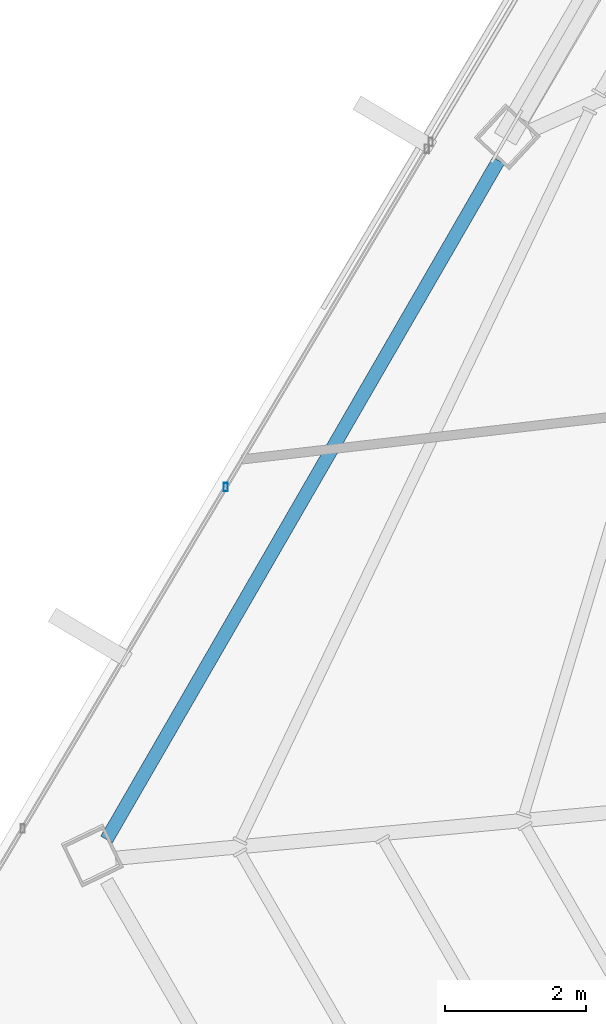
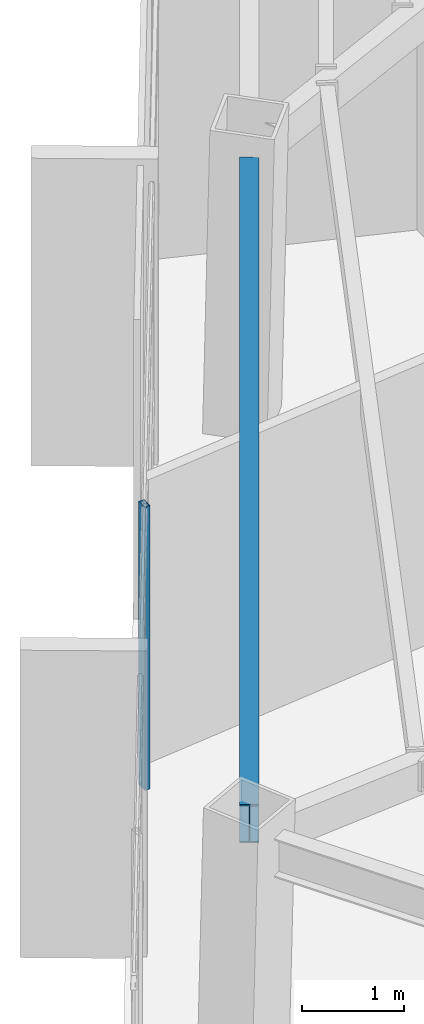
# One storey, part 9 of 47: 1 beam, 1 member, 1 element without a shape of its own.
"""IFC4 building model written with IfcOpenShell, lengths in metres."""

from ifc_helpers import new_model, si_unit, direction, frame, origin, origin_2d, place, context, subcontext, project, spatial, hollow_rectangle, i_section, extrude, source, transform, mapped, material, material_profile, profile_set, type_object, type_shapes, element, aggregate, save


model = new_model("IFC4")

# Units and contexts
model_context = context("Model", 3, precision=1e-05, world=origin(), true_north=direction((0.0, 1.0)))
body_context = subcontext(model_context, "Body", "Model", "MODEL_VIEW")
ifc_project = project(units=[si_unit("LENGTHUNIT", "METRE"), si_unit("AREAUNIT", "SQUARE_METRE"), si_unit("VOLUMEUNIT", "CUBIC_METRE"), si_unit("PLANEANGLEUNIT", "RADIAN"), si_unit("MASSUNIT", "GRAM", prefix="KILO")], contexts=[model_context])

# Site, building, storey
site_placement = place(None, origin())
site = spatial("IfcSite", under=ifc_project, at=site_placement, CompositionType="ELEMENT")
building_placement = place(site_placement, origin())
building = spatial("IfcBuilding", under=site, at=building_placement, Name="Caelisora Broadcast Tower", CompositionType="ELEMENT")
storey_placement = place(building_placement, frame((0.0, 0.0, 248.10009765625)))
storey = spatial("IfcBuildingStorey", under=building, at=storey_placement, Name="L65", CompositionType="ELEMENT", Elevation=248.10009765625)

# Beam
ifc_material_1 = material(Name="Steel Grade 350 (AS/NZS 3679.1)", Category="steel")
ifc_material_profile_1 = material_profile(ifc_material_1, i_section(OverallWidth=0.19091796875, OverallDepth=0.46044921875, WebThickness=0.010009765625, FlangeThickness=0.01611328125, at=origin_2d()), Name="Steel Grade 350 (AS/NZS 3679.1)")
ifc_profile_set_1 = profile_set([ifc_material_profile_1], Name="Steel Grade 350 (AS/NZS 3679.1)")
beam_type = type_object("IfcBeamType", Name="PG06", PredefinedType="BEAM", material=ifc_profile_set_1)
shared_shape_1 = source(origin(), body_context, "Body", "SweptSolid", [
    extrude(i_section(OverallWidth=0.19091796875, OverallDepth=0.46044921875, WebThickness=0.010009765625, FlangeThickness=0.01611328125, at=origin_2d()), origin(), (0.0, 0.0, 1.0), 11.09130859375),
])
type_shapes(beam_type, [shared_shape_1])
beam_placement = place(storey_placement, frame((22.1064453125, 25.991943359375, 3.169677734375), z_axis=(-0.499995559283, -0.866027967618, 0.0), x_axis=(0.866027967618, -0.499995559283, 0.0)))
element("IfcBeam", 1, at=beam_placement, inside=storey, type_object=beam_type, Name="L65 beam PG06", PredefinedType="BEAM", context=body_context, shape_type="MappedRepresentation", body=[
    mapped(shared_shape_1, transform((0.0, 0.0, 0.0), scale=1.0)),
])

# Curtain wall, member
ifc_material_2 = material(Name="Unitised Aluminium and Low-E Glass Curtain Wall", Category="glass")
curtain_wall_type = type_object("IfcCurtainWallType", Name="CW-Z5", PredefinedType="NOTDEFINED", material=ifc_material_2)
curtain_wall_placement = place(storey_placement, origin())
curtain_wall = element("IfcCurtainWall", 2, at=curtain_wall_placement, inside=storey, type_object=curtain_wall_type, Name="L65 curtain wall CW-Z5", PredefinedType="NOTDEFINED")
ifc_material_3 = material(Name="Aluminium 6063-T6 Anodised Terracotta Bronze", Category="aluminium")
ifc_material_profile_2 = material_profile(ifc_material_3, hollow_rectangle(XDim=0.06005859375, YDim=0.1201171875, WallThickness=0.0029296875, at=origin_2d()), Name="Aluminium 6063-T6 Anodised Terracotta Bronze")
ifc_profile_set_2 = profile_set([ifc_material_profile_2], Name="Aluminium 6063-T6 Anodised Terracotta Bronze")
member_type = type_object("IfcMemberType", Name="CWM-04", PredefinedType="MULLION", material=ifc_profile_set_2)
shared_shape_2 = source(origin(), body_context, "Body", "SweptSolid", [
    extrude(hollow_rectangle(XDim=0.06005859375, YDim=0.1201171875, WallThickness=0.0029296875, at=origin_2d()), origin(), (0.0, 0.0, 1.0), 3.39990234375),
])
type_shapes(member_type, [shared_shape_2])
member_placement = place(storey_placement, frame((18.24658203125, 21.370849609375, 0.0), z_axis=(0.0, 0.0, 1.0), x_axis=(1.0, 0.0, 0.0)))
member = element("IfcMember", 3, at=member_placement, type_object=member_type, Name="L65-CW-B09 mullion #2", PredefinedType="MULLION", context=body_context, shape_type="MappedRepresentation", body=[
    mapped(shared_shape_2, transform((0.0, 0.0, 0.0), scale=1.0)),
])
aggregate(curtain_wall, [member])

save(model, "model.ifc")
